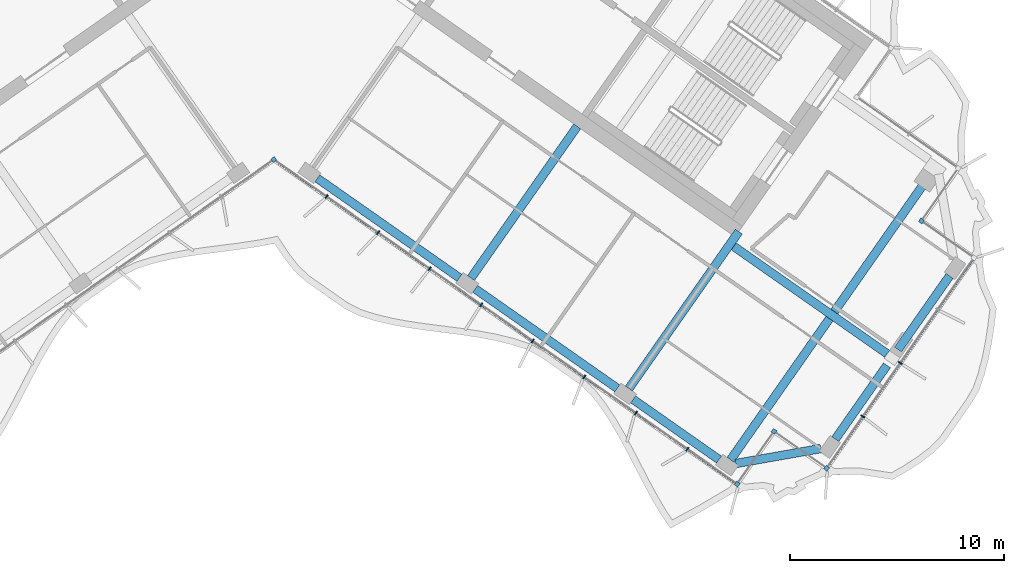
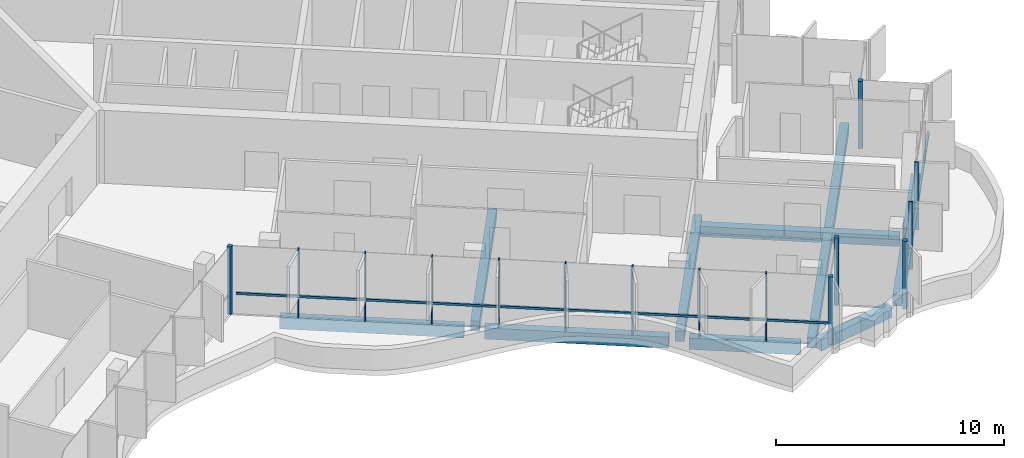
# One storey, part 4 of 20: 17 members, 10 beams, 1 element without a shape of its own.
"""IFC4 building model written with IfcOpenShell, lengths in metres."""

from ifc_helpers import new_model, si_unit, direction, frame, origin, origin_2d, place, context, subcontext, project, spatial, rectangle, extrude, material, material_profile, profile_set, type_object, element, aggregate, save


model = new_model("IFC4")

# Units and contexts
model_context = context("Model", 3, precision=1e-05, world=origin(), true_north=direction((0.0, 1.0)))
body_context = subcontext(model_context, "Body", "Model", "MODEL_VIEW")
ifc_project = project(units=[si_unit("LENGTHUNIT", "METRE"), si_unit("AREAUNIT", "SQUARE_METRE"), si_unit("VOLUMEUNIT", "CUBIC_METRE"), si_unit("PLANEANGLEUNIT", "RADIAN"), si_unit("MASSUNIT", "GRAM", prefix="KILO")], contexts=[model_context])

# Site, building, storey
site_placement = place(None, origin())
site = spatial("IfcSite", under=ifc_project, at=site_placement, CompositionType="ELEMENT")
building_placement = place(site_placement, origin())
building = spatial("IfcBuilding", under=site, at=building_placement, Name="Tel Ilan Convention Tower", CompositionType="ELEMENT")
storey_placement = place(building_placement, frame((0.0, 0.0, 244.89990234375)))
storey = spatial("IfcBuildingStorey", under=building, at=storey_placement, Name="L57", CompositionType="ELEMENT", Elevation=244.89990234375)

# Beams
ifc_material_1 = material(Name="Concrete C40/50", Category="concrete")
ifc_material_profile_1 = material_profile(ifc_material_1, rectangle(XDim=0.39990234375, YDim=0.550048828125, at=origin_2d()), Name="RC 400x550")
ifc_profile_set_1 = profile_set([ifc_material_profile_1], Name="Concrete C40/50")
beam_type_1 = type_object("IfcBeamType", Name="Beam RC 400x550 Concrete C40/50", PredefinedType="BEAM", material=ifc_profile_set_1)
beam_1_placement = place(storey_placement, frame((9.209716796875, -18.229248046875, -0.554931640625), z_axis=(0.573574099654, 0.819153680457, 0.0), x_axis=(-0.819153680457, 0.573574099654, 0.0)))
element("IfcBeam", 1, at=beam_1_placement, inside=storey, type_object=beam_type_1, Name="L57 beam E-E-F2-core", PredefinedType="BEAM", context=body_context, shape_type="SweptSolid", body=[
    extrude(rectangle(XDim=0.39990234375, YDim=0.550048828125, at=origin_2d()), origin(), (0.0, 0.0, 1.0), 8.64990234375),
])
beam_2_placement = place(storey_placement, frame((16.58203125, -23.391357421875, -0.554931640625), z_axis=(0.573584999642, 0.819146048141, 0.0), x_axis=(-0.819146048141, 0.573584999642, 0.0)))
element("IfcBeam", 2, at=beam_2_placement, inside=storey, type_object=beam_type_1, Name="L57 beam E-E-F3-core", PredefinedType="BEAM", context=body_context, shape_type="SweptSolid", body=[
    extrude(rectangle(XDim=0.39990234375, YDim=0.550048828125, at=origin_2d()), origin(), (0.0, 0.0, 1.0), 8.949951171875),
])
beam_3_placement = place(storey_placement, frame((21.477783203125, -16.748046875, -0.554931640625), z_axis=(0.819157197737, -0.573569076395, 0.0), x_axis=(0.573569076395, 0.819157197737, 0.0)))
element("IfcBeam", 3, at=beam_3_placement, inside=storey, type_object=beam_type_1, Name="L57 beam E-core-end", PredefinedType="BEAM", context=body_context, shape_type="SweptSolid", body=[
    extrude(rectangle(XDim=0.39990234375, YDim=0.550048828125, at=origin_2d()), origin(), (0.0, 0.0, 1.0), 8.75),
])
beam_4_placement = place(storey_placement, frame((21.333251953125, -26.718017578125, -0.554931640625), z_axis=(0.573574554643, 0.819153361872, 0.0), x_axis=(-0.819153361872, 0.573574554643, 0.0)))
element("IfcBeam", 4, at=beam_4_placement, inside=storey, type_object=beam_type_1, Name="L57 beam E-E-FC-E-BC", PredefinedType="BEAM", context=body_context, shape_type="SweptSolid", body=[
    extrude(rectangle(XDim=0.39990234375, YDim=0.550048828125, at=origin_2d()), origin(), (0.0, 0.0, 1.0), 16.499755859375),
])
ifc_material_2 = material(Name="Concrete C40/50", Category="concrete")
ifc_material_profile_2 = material_profile(ifc_material_2, rectangle(XDim=0.39990234375, YDim=0.60009765625, at=origin_2d()), Name="RC 400x600")
ifc_profile_set_2 = profile_set([ifc_material_profile_2], Name="Concrete C40/50")
beam_type_2 = type_object("IfcBeamType", Name="Beam RC 400x600 Concrete C40/50", PredefinedType="BEAM", material=ifc_profile_set_2)
beam_5_placement = place(storey_placement, frame((2.033935546875, -13.57080078125, -0.579833984375), z_axis=(0.81914553362, -0.573585734437, 0.0), x_axis=(0.573585734437, 0.81914553362, 0.0)))
element("IfcBeam", 5, at=beam_5_placement, inside=storey, type_object=beam_type_2, Name="L57 beam E-E-F1-E-F2", PredefinedType="BEAM", context=body_context, shape_type="SweptSolid", body=[
    extrude(rectangle(XDim=0.39990234375, YDim=0.60009765625, at=origin_2d()), origin(), (0.0, 0.0, 1.0), 8.099853515625),
])
beam_6_placement = place(storey_placement, frame((9.40625, -18.73291015625, -0.579833984375), z_axis=(0.819155449703, -0.573571572885, 0.0), x_axis=(0.573571572885, 0.819155449703, 0.0)))
element("IfcBeam", 6, at=beam_6_placement, inside=storey, type_object=beam_type_2, Name="L57 beam E-E-F2-E-F3", PredefinedType="BEAM", context=body_context, shape_type="SweptSolid", body=[
    extrude(rectangle(XDim=0.39990234375, YDim=0.60009765625, at=origin_2d()), origin(), (0.0, 0.0, 1.0), 8.10009765625),
])
beam_7_placement = place(storey_placement, frame((16.778564453125, -23.895263671875, -0.579833984375), z_axis=(0.819154669329, -0.573572687386, 0.0), x_axis=(0.573572687386, 0.819154669329, 0.0)))
element("IfcBeam", 7, at=beam_7_placement, inside=storey, type_object=beam_type_2, Name="L57 beam E-E-F3-E-FC", PredefinedType="BEAM", context=body_context, shape_type="SweptSolid", body=[
    extrude(rectangle(XDim=0.39990234375, YDim=0.60009765625, at=origin_2d()), origin(), (0.0, 0.0, 1.0), 4.900146484375),
])
beam_8_placement = place(storey_placement, frame((21.578857421875, -26.89013671875, -0.579833984375), z_axis=(0.984804894423, 0.173664388751, 0.0), x_axis=(-0.173664388751, 0.984804894423, 0.0)))
element("IfcBeam", 8, at=beam_8_placement, inside=storey, type_object=beam_type_2, Name="L57 beam E-E-FC-E-E1", PredefinedType="BEAM", context=body_context, shape_type="SweptSolid", body=[
    extrude(rectangle(XDim=0.39990234375, YDim=0.60009765625, at=origin_2d()), origin(), (0.0, 0.0, 1.0), 4.030517578125),
])
for number, where, z_axis, x_axis, name in (
    (9, (26.22412109375, -25.748046875, -0.579833984375), (0.573563773994, 0.819160910421, 0.0), (-0.819160910421, 0.573563773994, 0.0), "L57 beam E-E-E1-E-E2"),
    (10, (29.1494140625, -21.5703125, -0.579833984375), (0.573563773994, 0.819160910421, 0.0), (-0.819160910421, 0.573563773994, 0.0), "L57 beam E-E-E2-E-E3"),
):
    element("IfcBeam", number, at=place(storey_placement, frame(where, z_axis=z_axis, x_axis=x_axis)), inside=storey, type_object=beam_type_2, Name=name, PredefinedType="BEAM", context=body_context, shape_type="SweptSolid", body=[
        extrude(rectangle(XDim=0.39990234375, YDim=0.60009765625, at=origin_2d()), origin(), (0.0, 0.0, 1.0), 4.199951171875),
    ])

# Curtain wall, members
ifc_material_3 = material(Name="Aluminium, bronze anodised", Category="aluminium")
curtain_wall_type = type_object("IfcCurtainWallType", Name="CW5 STICK CURTAIN WALL, UPPER OFFICE LOW-IRON TINTED GLASS", PredefinedType="NOTDEFINED", material=ifc_material_3)
curtain_wall_placement = place(storey_placement, origin())
curtain_wall = element("IfcCurtainWall", 11, at=curtain_wall_placement, inside=storey, type_object=curtain_wall_type, Name="Curtain wall CW5-44.02", PredefinedType="NOTDEFINED")
ifc_material_4 = material(Name="Aluminium, bronze anodised", Category="aluminium")
ifc_material_profile_3 = material_profile(ifc_material_4, rectangle(XDim=0.199951171875, YDim=0.199951171875, at=origin_2d()), Name="CW CORNER MULLION 200x200")
ifc_profile_set_3 = profile_set([ifc_material_profile_3], Name="Aluminium, bronze anodised")
member_type_1 = type_object("IfcMemberType", Name="CW CORNER MULLION 200x200", PredefinedType="MULLION", material=ifc_profile_set_3)
member_1_placement = place(storey_placement, frame((0.0, -12.696044921875, 0.0), z_axis=(0.0, 0.0, 1.0), x_axis=(0.819152044289, 0.573576436351, 0.0)))
member_1 = element("IfcMember", 12, at=member_1_placement, type_object=member_type_1, Name="Corner mullion", PredefinedType="MULLION", context=body_context, shape_type="SweptSolid", body=[
    extrude(rectangle(XDim=0.199951171875, YDim=0.199951171875, at=origin_2d()), origin(), (0.0, 0.0, 1.0), 3.6201171875),
])
member_2_placement = place(storey_placement, frame((21.64013671875, -27.8486328125, 0.0), z_axis=(0.0, 0.0, 1.0), x_axis=(0.819152044289, -0.573576436351, 0.0)))
member_2 = element("IfcMember", 13, at=member_2_placement, type_object=member_type_1, Name="Corner mullion", PredefinedType="MULLION", context=body_context, shape_type="SweptSolid", body=[
    extrude(rectangle(XDim=0.199951171875, YDim=0.199951171875, at=origin_2d()), origin(), (0.0, 0.0, 1.0), 3.6201171875),
])
member_3_placement = place(storey_placement, frame((23.36083984375, -25.391357421875, 0.0), z_axis=(0.0, 0.0, 1.0), x_axis=(0.573576436351, 0.819152044289, 0.0)))
member_3 = element("IfcMember", 14, at=member_3_placement, type_object=member_type_1, Name="Corner mullion", PredefinedType="MULLION", context=body_context, shape_type="SweptSolid", body=[
    extrude(rectangle(XDim=0.199951171875, YDim=0.199951171875, at=origin_2d()), origin(), (0.0, 0.0, 1.0), 3.6201171875),
])
member_4_placement = place(storey_placement, frame((25.818359375, -27.112060546875, 0.0), z_axis=(0.0, 0.0, 1.0), x_axis=(0.819152044289, -0.573576436351, 0.0)))
member_4 = element("IfcMember", 15, at=member_4_placement, type_object=member_type_1, Name="Corner mullion", PredefinedType="MULLION", context=body_context, shape_type="SweptSolid", body=[
    extrude(rectangle(XDim=0.199951171875, YDim=0.199951171875, at=origin_2d()), origin(), (0.0, 0.0, 1.0), 3.6201171875),
])
member_5_placement = place(storey_placement, frame((30.243896484375, -15.5615234375, 0.0), z_axis=(0.0, 0.0, 1.0), x_axis=(-0.819152044289, 0.573576436351, 0.0)))
member_5 = element("IfcMember", 16, at=member_5_placement, type_object=member_type_1, Name="Corner mullion", PredefinedType="MULLION", context=body_context, shape_type="SweptSolid", body=[
    extrude(rectangle(XDim=0.199951171875, YDim=0.199951171875, at=origin_2d()), origin(), (0.0, 0.0, 1.0), 3.6201171875),
])
ifc_material_5 = material(Name="Aluminium, bronze anodised", Category="aluminium")
ifc_material_profile_4 = material_profile(ifc_material_5, rectangle(XDim=0.06005859375, YDim=0.199951171875, at=origin_2d()), Name="CW MULLION 60x200")
ifc_profile_set_4 = profile_set([ifc_material_profile_4], Name="Aluminium, bronze anodised")
member_type_2 = type_object("IfcMemberType", Name="CW MULLION 60x200", PredefinedType="MULLION", material=ifc_profile_set_4)
member_6_placement = place(storey_placement, frame((2.464599609375, -14.421875, 0.0), z_axis=(0.0, 0.0, 1.0), x_axis=(0.819152044289, -0.573576436351, 0.0)))
member_6 = element("IfcMember", 17, at=member_6_placement, type_object=member_type_2, Name="Mullion", PredefinedType="MULLION", context=body_context, shape_type="SweptSolid", body=[
    extrude(rectangle(XDim=0.06005859375, YDim=0.199951171875, at=origin_2d()), origin(), (0.0, 0.0, 1.0), 3.6201171875),
])
member_7_placement = place(storey_placement, frame((4.871826171875, -16.107177734375, 0.0), z_axis=(0.0, 0.0, 1.0), x_axis=(0.819152044289, -0.573576436351, 0.0)))
member_7 = element("IfcMember", 18, at=member_7_placement, type_object=member_type_2, Name="Mullion", PredefinedType="MULLION", context=body_context, shape_type="SweptSolid", body=[
    extrude(rectangle(XDim=0.06005859375, YDim=0.199951171875, at=origin_2d()), origin(), (0.0, 0.0, 1.0), 3.6201171875),
])
member_8_placement = place(storey_placement, frame((7.279052734375, -17.792724609375, 0.0), z_axis=(0.0, 0.0, 1.0), x_axis=(0.819152044289, -0.573576436351, 0.0)))
member_8 = element("IfcMember", 19, at=member_8_placement, type_object=member_type_2, Name="Mullion", PredefinedType="MULLION", context=body_context, shape_type="SweptSolid", body=[
    extrude(rectangle(XDim=0.06005859375, YDim=0.199951171875, at=origin_2d()), origin(), (0.0, 0.0, 1.0), 3.6201171875),
])
member_9_placement = place(storey_placement, frame((9.68603515625, -19.478271484375, 0.0), z_axis=(0.0, 0.0, 1.0), x_axis=(0.819152044289, -0.573576436351, 0.0)))
member_9 = element("IfcMember", 20, at=member_9_placement, type_object=member_type_2, Name="Mullion", PredefinedType="MULLION", context=body_context, shape_type="SweptSolid", body=[
    extrude(rectangle(XDim=0.06005859375, YDim=0.199951171875, at=origin_2d()), origin(), (0.0, 0.0, 1.0), 3.6201171875),
])
member_10_placement = place(storey_placement, frame((12.09326171875, -21.163818359375, 0.0), z_axis=(0.0, 0.0, 1.0), x_axis=(0.819152044289, -0.573576436351, 0.0)))
member_10 = element("IfcMember", 21, at=member_10_placement, type_object=member_type_2, Name="Mullion", PredefinedType="MULLION", context=body_context, shape_type="SweptSolid", body=[
    extrude(rectangle(XDim=0.06005859375, YDim=0.199951171875, at=origin_2d()), origin(), (0.0, 0.0, 1.0), 3.6201171875),
])
member_11_placement = place(storey_placement, frame((14.50048828125, -22.849365234375, 0.0), z_axis=(0.0, 0.0, 1.0), x_axis=(0.819152044289, -0.573576436351, 0.0)))
member_11 = element("IfcMember", 22, at=member_11_placement, type_object=member_type_2, Name="Mullion", PredefinedType="MULLION", context=body_context, shape_type="SweptSolid", body=[
    extrude(rectangle(XDim=0.06005859375, YDim=0.199951171875, at=origin_2d()), origin(), (0.0, 0.0, 1.0), 3.6201171875),
])
member_12_placement = place(storey_placement, frame((16.90771484375, -24.534912109375, 0.0), z_axis=(0.0, 0.0, 1.0), x_axis=(0.819152044289, -0.573576436351, 0.0)))
member_12 = element("IfcMember", 23, at=member_12_placement, type_object=member_type_2, Name="Mullion", PredefinedType="MULLION", context=body_context, shape_type="SweptSolid", body=[
    extrude(rectangle(XDim=0.06005859375, YDim=0.199951171875, at=origin_2d()), origin(), (0.0, 0.0, 1.0), 3.6201171875),
])
member_13_placement = place(storey_placement, frame((19.31494140625, -26.220458984375, 0.0), z_axis=(0.0, 0.0, 1.0), x_axis=(0.819152044289, -0.573576436351, 0.0)))
member_13 = element("IfcMember", 24, at=member_13_placement, type_object=member_type_2, Name="Mullion", PredefinedType="MULLION", context=body_context, shape_type="SweptSolid", body=[
    extrude(rectangle(XDim=0.06005859375, YDim=0.199951171875, at=origin_2d()), origin(), (0.0, 0.0, 1.0), 3.6201171875),
])
member_14_placement = place(storey_placement, frame((27.510498046875, -24.695556640625, 0.0), z_axis=(0.0, 0.0, 1.0), x_axis=(0.573576436351, 0.819152044289, 0.0)))
member_14 = element("IfcMember", 25, at=member_14_placement, type_object=member_type_2, Name="Mullion", PredefinedType="MULLION", context=body_context, shape_type="SweptSolid", body=[
    extrude(rectangle(XDim=0.06005859375, YDim=0.199951171875, at=origin_2d()), origin(), (0.0, 0.0, 1.0), 3.6201171875),
])
member_15_placement = place(storey_placement, frame((29.259765625, -22.197021484375, 0.0), z_axis=(0.0, 0.0, 1.0), x_axis=(0.573576436351, 0.819152044289, 0.0)))
member_15 = element("IfcMember", 26, at=member_15_placement, type_object=member_type_2, Name="Mullion", PredefinedType="MULLION", context=body_context, shape_type="SweptSolid", body=[
    extrude(rectangle(XDim=0.06005859375, YDim=0.199951171875, at=origin_2d()), origin(), (0.0, 0.0, 1.0), 3.6201171875),
])
ifc_material_6 = material(Name="Aluminium, bronze anodised", Category="aluminium")
ifc_material_profile_5 = material_profile(ifc_material_6, rectangle(XDim=0.10009765625, YDim=0.1201171875, at=origin_2d()), Name="CW TRANSOM 100x120")
ifc_profile_set_5 = profile_set([ifc_material_profile_5], Name="Aluminium, bronze anodised")
member_type_3 = type_object("IfcMemberType", Name="CW TRANSOM 100x120", PredefinedType="USERDEFINED", material=ifc_profile_set_5)
member_16_placement = place(storey_placement, frame((0.22119140625, -12.850830078125, 1.10009765625), z_axis=(0.819152212587, -0.573576195996, 0.0), x_axis=(0.573576195996, 0.819152212587, 0.0)))
member_16 = element("IfcMember", 27, at=member_16_placement, type_object=member_type_3, Name="Transom", ObjectType="TRANSOM", PredefinedType="USERDEFINED", context=body_context, shape_type="SweptSolid", body=[
    extrude(rectangle(XDim=0.10009765625, YDim=0.1201171875, at=origin_2d()), origin(), (0.0, 0.0, 1.0), 26.0478515625),
])
member_17_placement = place(storey_placement, frame((25.875732421875, -27.030029296875, 1.10009765625), z_axis=(0.573581755582, 0.819148319698, 0.0), x_axis=(-0.819148319698, 0.573581755582, 0.0)))
member_17 = element("IfcMember", 28, at=member_17_placement, type_object=member_type_3, Name="Transom", ObjectType="TRANSOM", PredefinedType="USERDEFINED", context=body_context, shape_type="SweptSolid", body=[
    extrude(rectangle(XDim=0.10009765625, YDim=0.1201171875, at=origin_2d()), origin(), (0.0, 0.0, 1.0), 11.800048828125),
])
aggregate(curtain_wall, [member_1, member_6, member_7, member_8, member_9, member_10, member_11, member_12, member_13, member_2, member_16, member_3, member_4, member_14, member_15, member_17, member_5])

save(model, "model.ifc")
